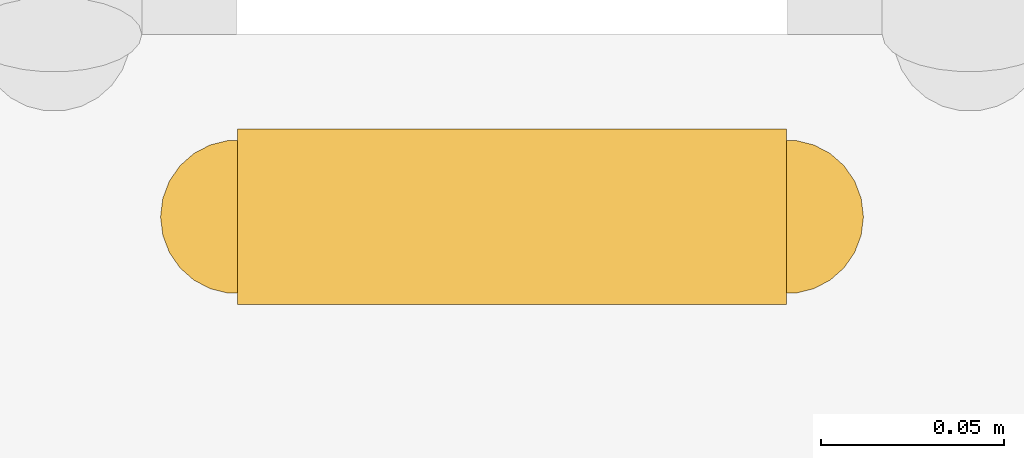
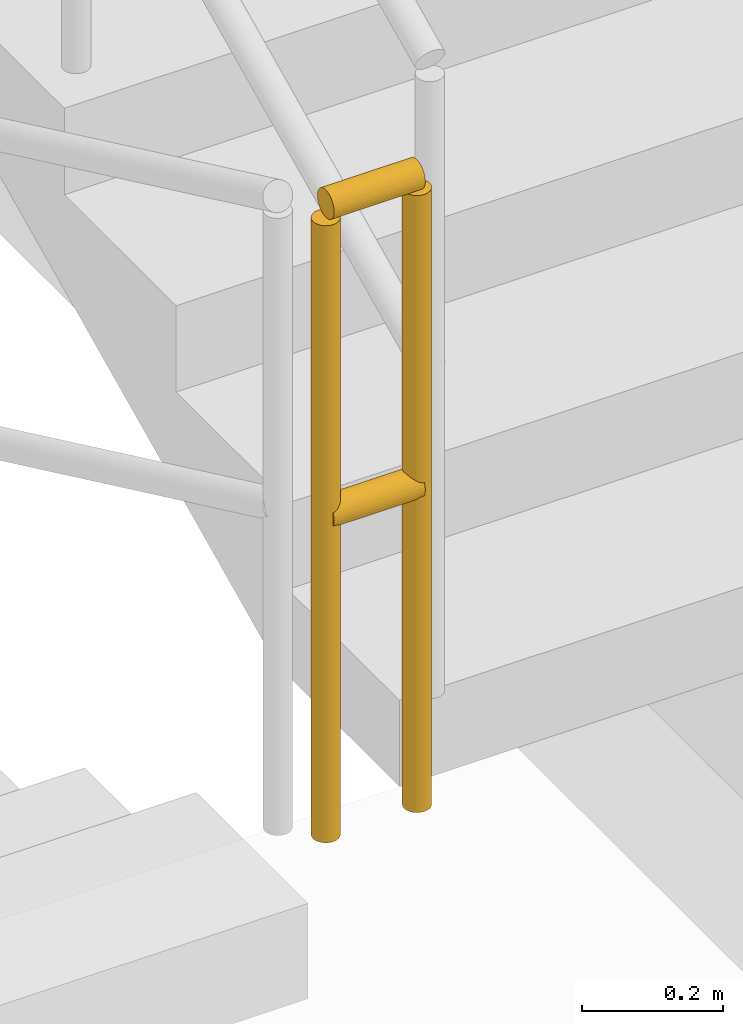
# One storey, part 13 of 16: 1 railing.
"""IFC4 building model written with IfcOpenShell, lengths in metres."""

from ifc_helpers import new_model, si_unit, direction, frame, origin, origin_2d, place, context, subcontext, project, spatial, circle, extrude, material, layer, layer_set, type_object, element, save


model = new_model("IFC4")

# Units and contexts
model_context = context("Model", 3, precision=1e-05, world=origin(), true_north=direction((0.0, 1.0)))
body_context = subcontext(model_context, "Body", "Model", "MODEL_VIEW")
ifc_project = project(units=[si_unit("LENGTHUNIT", "METRE"), si_unit("AREAUNIT", "SQUARE_METRE"), si_unit("VOLUMEUNIT", "CUBIC_METRE"), si_unit("PLANEANGLEUNIT", "RADIAN"), si_unit("MASSUNIT", "GRAM", prefix="KILO")], contexts=[model_context])

# Site, building, storey
site_placement = place(None, origin())
site = spatial("IfcSite", under=ifc_project, at=site_placement, CompositionType="ELEMENT")
building_placement = place(site_placement, origin())
building = spatial("IfcBuilding", under=site, at=building_placement, Name="Solmavex Isthmus Hotel", CompositionType="ELEMENT")
storey_placement = place(building_placement, frame((0.0, 0.0, 5.39990234375)))
storey = spatial("IfcBuildingStorey", under=building, at=storey_placement, Name="L02", CompositionType="ELEMENT", Elevation=5.39990234375)

# Railing
ifc_material = material(Name="Stainless steel 316", Category="steel")
ifc_layer = layer(ifc_material, 0.06005859375)
ifc_layer_set = layer_set([ifc_layer], Name="Stainless steel 316")
railing_type = type_object("IfcRailingType", Name="RAIL-STAIR-GD", PredefinedType="GUARDRAIL", material=ifc_layer_set)
railing_placement = place(storey_placement, frame((22.300048828125, 8.55810546875, 3.0)))
element("IfcRailing", 1, at=railing_placement, inside=storey, type_object=railing_type, Name="L02 ST-3 stair guard 2", PredefinedType="GUARDRAIL", context=body_context, shape_type="SweptSolid", body=[
    extrude(circle(Radius=0.02392578125, at=origin_2d()), frame((0.0, 0.0, 1.09619140625), z_axis=(1.0, 0.0, 0.0), x_axis=(0.0, 1.0, 0.0)), (0.0, 0.0, 1.0), 0.14990234375),
    extrude(circle(Radius=0.02392578125, at=origin_2d()), frame((0.0, 0.0, 0.56005859375), z_axis=(1.0, 0.0, 0.0), x_axis=(0.0, 1.0, 0.0)), (0.0, 0.0, 1.0), 0.14990234375),
    extrude(circle(Radius=0.02099609375, at=origin_2d()), origin(), (0.0, 0.0, 1.0), 1.072021484375),
    extrude(circle(Radius=0.02099609375, at=origin_2d()), frame((0.14990234375, 0.0, 0.0)), (0.0, 0.0, 1.0), 1.072021484375),
])

save(model, "model.ifc")
